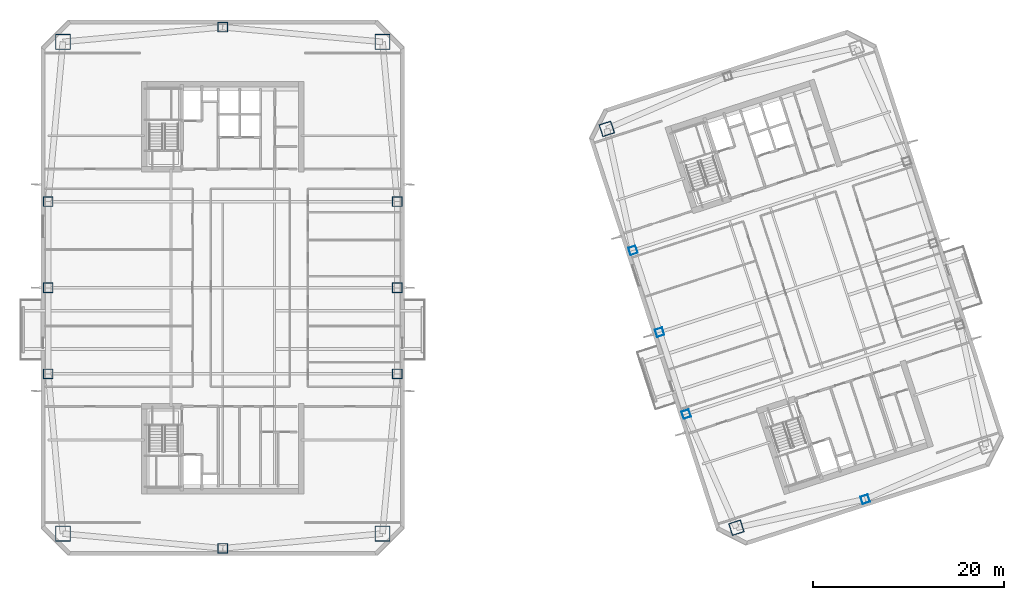
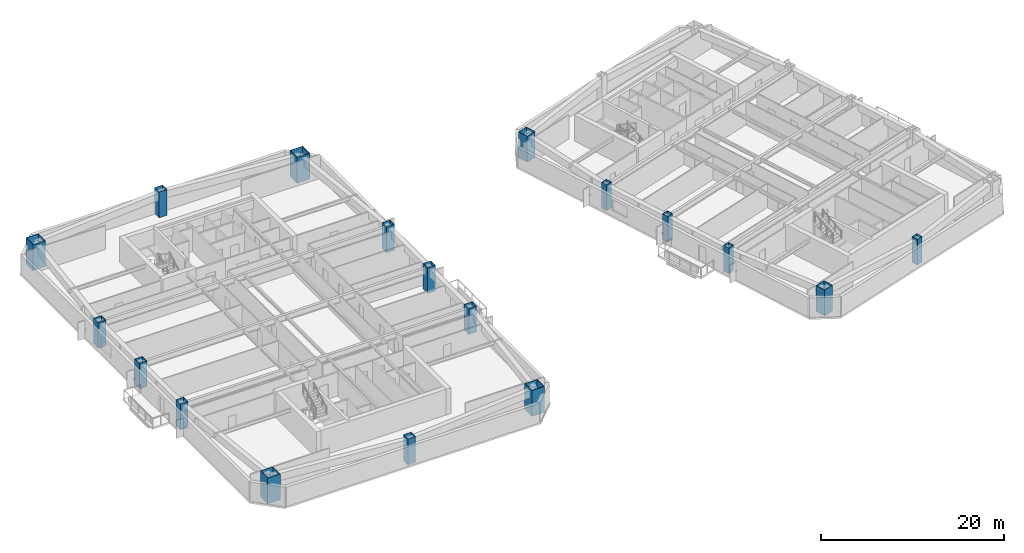
# One storey, part 1 of 17: 18 columns.
"""IFC4 building model written with IfcOpenShell, lengths in metres."""

from ifc_helpers import new_model, si_unit, direction, frame, origin, origin_2d, place, context, subcontext, project, spatial, hollow_rectangle, extrude, material, material_profile, profile_set, type_object, element, save


model = new_model("IFC4")

# Units and contexts
model_context = context("Model", 3, precision=1e-05, world=origin(), true_north=direction((0.0, 1.0)))
body_context = subcontext(model_context, "Body", "Model", "MODEL_VIEW")
ifc_project = project(units=[si_unit("LENGTHUNIT", "METRE"), si_unit("AREAUNIT", "SQUARE_METRE"), si_unit("VOLUMEUNIT", "CUBIC_METRE"), si_unit("PLANEANGLEUNIT", "RADIAN"), si_unit("MASSUNIT", "GRAM", prefix="KILO")], contexts=[model_context])

# Site, building, storey
site_placement = place(None, origin())
site = spatial("IfcSite", under=ifc_project, at=site_placement, CompositionType="ELEMENT")
building_placement = place(site_placement, origin())
building = spatial("IfcBuilding", under=site, at=building_placement, Name="Qiaolan Cultural Towers", CompositionType="ELEMENT")
storey_placement = place(building_placement, frame((0.0, 0.0, 152.949951171875)))
storey = spatial("IfcBuildingStorey", under=building, at=storey_placement, Name="L40", CompositionType="ELEMENT", Elevation=152.949951171875)

# Columns
ifc_material_1 = material(Name="Steel Q355B", Category="steel")
ifc_material_profile_1 = material_profile(ifc_material_1, hollow_rectangle(XDim=1.0, YDim=1.0, WallThickness=0.035888671875, at=origin_2d()), Name="BOX1000x1000x36")
ifc_profile_set_1 = profile_set([ifc_material_profile_1], Name="Steel Q355B")
column_type_1 = type_object("IfcColumnType", Name="COL-BOX1000x1000x36", PredefinedType="COLUMN", material=ifc_profile_set_1)
for number, where, z_axis, x_axis, name in (
    (1, (11.75, 25.0, 0.0), (0.0, 0.0, 1.0), (1.0, 0.0, 0.0), "L40 T1 Perimeter Column PC-W1"),
    (2, (11.75, 34.0, 0.0), (0.0, 0.0, 1.0), (1.0, 0.0, 0.0), "L40 T1 Perimeter Column PC-W2"),
    (3, (11.75, 43.0, 0.0), (0.0, 0.0, 1.0), (1.0, 0.0, 0.0), "L40 T1 Perimeter Column PC-W3"),
    (4, (48.25, 25.0, 0.0), (0.0, 0.0, 1.0), (1.0, 0.0, 0.0), "L40 T1 Perimeter Column PC-E1"),
    (5, (48.25, 34.0, 0.0), (0.0, 0.0, 1.0), (1.0, 0.0, 0.0), "L40 T1 Perimeter Column PC-E2"),
    (6, (48.25, 43.0, 0.0), (0.0, 0.0, 1.0), (1.0, 0.0, 0.0), "L40 T1 Perimeter Column PC-E3"),
    (7, (30.0, 6.75, 0.0), (0.0, 0.0, 1.0), (1.0, 0.0, 0.0), "L40 T1 Perimeter Column PC-S0"),
    (8, (30.0, 61.25, 0.0), (0.0, 0.0, 1.0), (1.0, 0.0, 0.0), "L40 T1 Perimeter Column PC-N0"),
):
    element("IfcColumn", number, at=place(storey_placement, frame(where, z_axis=z_axis, x_axis=x_axis)), inside=storey, type_object=column_type_1, Name=name, PredefinedType="COLUMN", context=body_context, shape_type="SweptSolid", body=[
        extrude(hollow_rectangle(XDim=1.0, YDim=1.0, WallThickness=0.035888671875, at=origin_2d()), origin(), (0.0, 0.0, 1.0), 3.450927734375),
    ])
ifc_material_2 = material(Name="Steel Q390GJB", Category="steel")
ifc_material_profile_2 = material_profile(ifc_material_2, hollow_rectangle(XDim=1.300048828125, YDim=1.300048828125, WallThickness=0.044921875, at=origin_2d()), Name="BOX1300x1300x45")
ifc_profile_set_2 = profile_set([ifc_material_profile_2], Name="Steel Q390GJB")
column_type_2 = type_object("IfcColumnType", Name="COL-BOX1300x1300x45", PredefinedType="COLUMN", material=ifc_profile_set_2)
for number, where, z_axis, x_axis, name in (
    (9, (83.71875, 8.900634765625, 0.0), (0.0, 0.0, 1.0), (0.951056516295, 0.309016994375, 0.0), "L40 T2 Perimeter Column MC-SW"),
    (10, (70.165283203125, 50.61376953125, 0.0), (0.0, 0.0, 1.0), (0.951056516295, 0.309016994375, 0.0), "L40 T2 Perimeter Column MC-NW"),
):
    element("IfcColumn", number, at=place(storey_placement, frame(where, z_axis=z_axis, x_axis=x_axis)), inside=storey, type_object=column_type_2, Name=name, PredefinedType="COLUMN", context=body_context, shape_type="SweptSolid", body=[
        extrude(hollow_rectangle(XDim=1.300048828125, YDim=1.300048828125, WallThickness=0.044921875, at=origin_2d()), origin(), (0.0, 0.0, 1.0), 3.450927734375),
    ])
ifc_material_3 = material(Name="Steel Q420GJB", Category="steel")
ifc_material_profile_3 = material_profile(ifc_material_3, hollow_rectangle(XDim=1.60009765625, YDim=1.60009765625, WallThickness=0.054931640625, at=origin_2d()), Name="BOX1600x1600x55")
ifc_profile_set_3 = profile_set([ifc_material_profile_3], Name="Steel Q420GJB")
column_type_3 = type_object("IfcColumnType", Name="COL-BOX1600x1600x55", PredefinedType="COLUMN", material=ifc_profile_set_3)
for number, where, z_axis, x_axis, name in (
    (11, (13.2900390625, 8.2900390625, 0.0), (0.0, 0.0, 1.0), (1.0, 0.0, 0.0), "L40 T1 Perimeter Column MC-SW"),
    (12, (46.7099609375, 8.2900390625, 0.0), (0.0, 0.0, 1.0), (1.0, 0.0, 0.0), "L40 T1 Perimeter Column MC-SE"),
    (13, (46.7099609375, 59.7099609375, 0.0), (0.0, 0.0, 1.0), (1.0, 0.0, 0.0), "L40 T1 Perimeter Column MC-NE"),
    (14, (13.2900390625, 59.7099609375, 0.0), (0.0, 0.0, 1.0), (1.0, 0.0, 0.0), "L40 T1 Perimeter Column MC-NW"),
):
    element("IfcColumn", number, at=place(storey_placement, frame(where, z_axis=z_axis, x_axis=x_axis)), inside=storey, type_object=column_type_3, Name=name, PredefinedType="COLUMN", context=body_context, shape_type="SweptSolid", body=[
        extrude(hollow_rectangle(XDim=1.60009765625, YDim=1.60009765625, WallThickness=0.054931640625, at=origin_2d()), origin(), (0.0, 0.0, 1.0), 3.450927734375),
    ])
ifc_material_4 = material(Name="Steel Q355B", Category="steel")
ifc_material_profile_4 = material_profile(ifc_material_4, hollow_rectangle(XDim=0.800048828125, YDim=0.800048828125, WallThickness=0.028076171875, at=origin_2d()), Name="BOX800x800x28")
ifc_profile_set_4 = profile_set([ifc_material_profile_4], Name="Steel Q355B")
column_type_4 = type_object("IfcColumnType", Name="COL-BOX800x800x28", PredefinedType="COLUMN", material=ifc_profile_set_4)
for number, where, z_axis, x_axis, name in (
    (15, (78.4677734375, 20.789794921875, 0.0), (0.0, 0.0, 1.0), (0.951056516295, 0.309016994375, 0.0), "L40 T2 Perimeter Column PC-W1"),
    (16, (75.6865234375, 29.349365234375, 0.0), (0.0, 0.0, 1.0), (0.951056516295, 0.309016994375, 0.0), "L40 T2 Perimeter Column PC-W2"),
    (17, (72.905517578125, 37.90869140625, 0.0), (0.0, 0.0, 1.0), (0.951056516295, 0.309016994375, 0.0), "L40 T2 Perimeter Column PC-W3"),
    (18, (97.1845703125, 11.887939453125, 0.0), (0.0, 0.0, 1.0), (0.951056516295, 0.309016994375, 0.0), "L40 T2 Perimeter Column PC-S0"),
):
    element("IfcColumn", number, at=place(storey_placement, frame(where, z_axis=z_axis, x_axis=x_axis)), inside=storey, type_object=column_type_4, Name=name, PredefinedType="COLUMN", context=body_context, shape_type="SweptSolid", body=[
        extrude(hollow_rectangle(XDim=0.800048828125, YDim=0.800048828125, WallThickness=0.028076171875, at=origin_2d()), origin(), (0.0, 0.0, 1.0), 3.450927734375),
    ])

save(model, "model.ifc")
